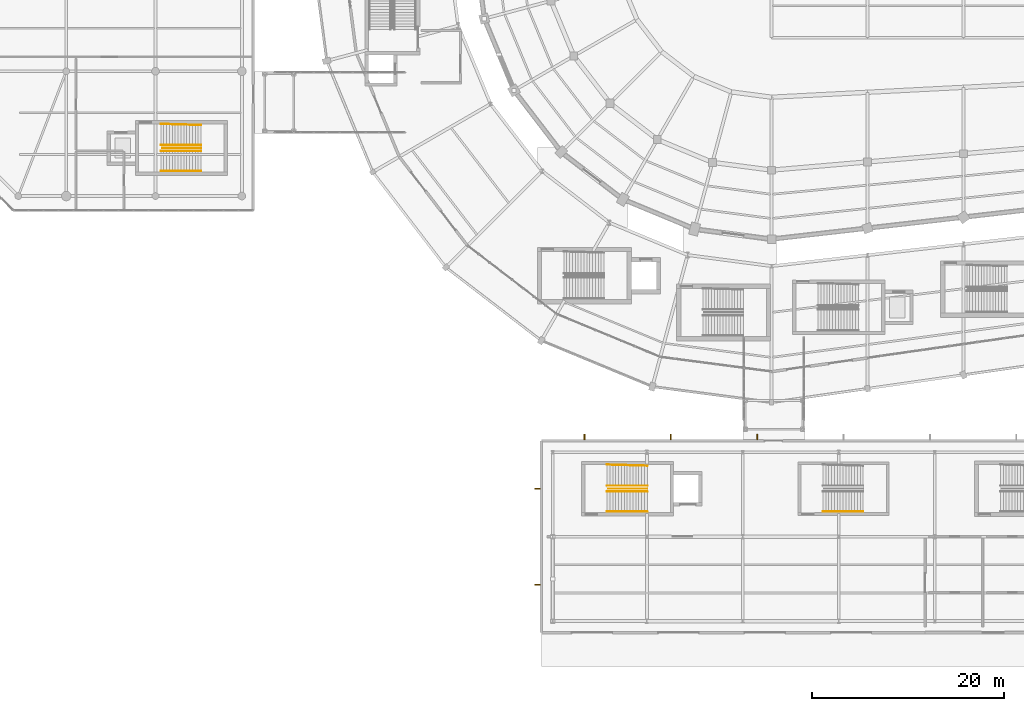
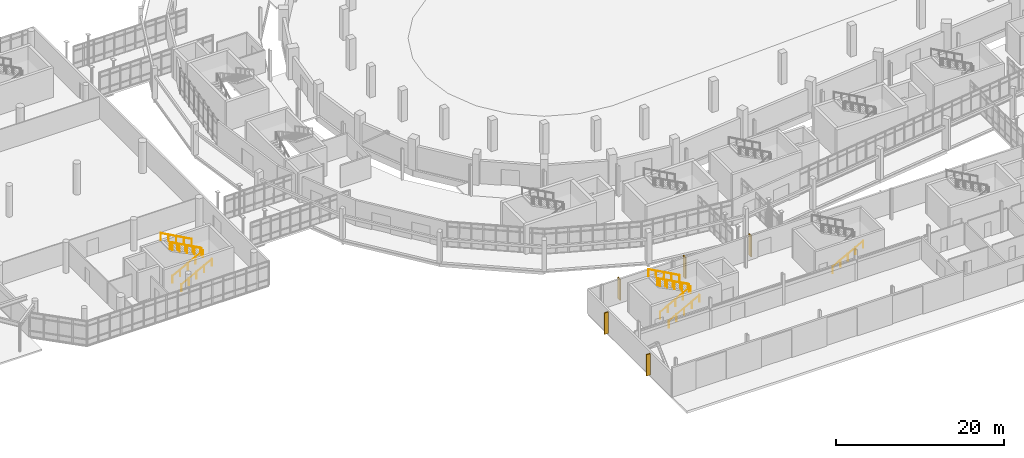
# One storey, part 116 of 122: 11 railings, 5 shading devices.
"""IFC4 building model written with IfcOpenShell, lengths in metres."""

from ifc_helpers import new_model, si_unit, direction, frame, origin, origin_2d, place, context, subcontext, project, spatial, rectangle, circle, extrude, material, layer, layer_set, type_object, element, save


model = new_model("IFC4")

# Units and contexts
model_context = context("Model", 3, precision=1e-05, world=origin(), true_north=direction((0.0, 1.0)))
body_context = subcontext(model_context, "Body", "Model", "MODEL_VIEW")
ifc_project = project(units=[si_unit("LENGTHUNIT", "METRE"), si_unit("AREAUNIT", "SQUARE_METRE"), si_unit("VOLUMEUNIT", "CUBIC_METRE"), si_unit("PLANEANGLEUNIT", "RADIAN"), si_unit("MASSUNIT", "GRAM", prefix="KILO")], contexts=[model_context])

# Site, building, storey
site_placement = place(None, origin())
site = spatial("IfcSite", under=ifc_project, at=site_placement, CompositionType="ELEMENT")
building_placement = place(site_placement, origin())
building = spatial("IfcBuilding", under=site, at=building_placement, Name="Sohan Crest Arena", CompositionType="ELEMENT")
storey_placement = place(building_placement, origin())
storey = spatial("IfcBuildingStorey", under=building, at=storey_placement, Name="L00", CompositionType="ELEMENT", Elevation=0.0)

# Railings
ifc_material_1 = material(Name="Powder-coated wrought steel balustrade", Category="steel")
railing_type_1 = type_object("IfcRailingType", Name="ARC-GRD-01", PredefinedType="GUARDRAIL", material=ifc_material_1)
for number, where, name in (
    (1, (38.530029296875, 56.5, 2.25), "Stair well slot guard GRD-071"),
    (2, (85.030029296875, 21.0, 2.25), "Stair well slot guard GRD-088"),
):
    element("IfcRailing", number, at=place(storey_placement, frame(where)), inside=storey, type_object=railing_type_1, Name=name, PredefinedType="GUARDRAIL", context=body_context, shape_type="SweptSolid", body=[
        extrude(circle(Radius=0.02392578125, at=origin_2d()), frame((0.0, 0.0, 1.076171875), z_axis=(-0.87313487534, 0.0, 0.487478706678), x_axis=(0.0, -1.0, 0.0)), (0.0, 0.0, 1.0), 4.615478515625),
        extrude(circle(Radius=0.02099609375, at=origin_2d()), origin(), (0.0, 0.0, 1.0), 1.052001953125),
        extrude(circle(Radius=0.02099609375, at=origin_2d()), frame((-1.007568359375, 0.0, 0.5625)), (0.0, 0.0, 1.0), 1.052001953125),
        extrude(circle(Radius=0.02099609375, at=origin_2d()), frame((-2.01513671875, 0.0, 1.125)), (0.0, 0.0, 1.0), 1.052001953125),
        extrude(circle(Radius=0.02099609375, at=origin_2d()), frame((-3.0224609375, 0.0, 1.6875)), (0.0, 0.0, 1.0), 1.052001953125),
        extrude(circle(Radius=0.02099609375, at=origin_2d()), frame((-4.030029296875, 0.0, 2.25)), (0.0, 0.0, 1.0), 1.052001953125),
    ])
ifc_material_2 = material(Name="Brushed stainless steel stair handrail", Category="steel")
railing_type_2 = type_object("IfcRailingType", Name="ARC-HR-01", PredefinedType="HANDRAIL", material=ifc_material_2)
for number, where, name in (
    (3, (103.35009765625, 18.610107421875, 0.0), "Stair pitch handrail HR-221"),
    (4, (34.35009765625, 54.110107421875, 0.0), "Stair pitch handrail HR-233"),
    (5, (34.35009765625, 56.18994140625, 0.0), "Stair pitch handrail HR-234"),
):
    element("IfcRailing", number, at=place(storey_placement, frame(where)), inside=storey, type_object=railing_type_2, Name=name, PredefinedType="HANDRAIL", context=body_context, shape_type="SweptSolid", body=[
        extrude(circle(Radius=0.02392578125, at=origin_2d()), frame((0.0, 0.0, 0.97607421875), z_axis=(0.881477684796, 0.0, 0.472225678258), x_axis=(0.0, 1.0, 0.0)), (0.0, 0.0, 1.0), 4.7646484375),
        extrude(circle(Radius=0.02099609375, at=origin_2d()), origin(), (0.0, 0.0, 1.0), 0.951904296875),
        extrude(circle(Radius=0.02099609375, at=origin_2d()), frame((1.050048828125, 0.0, 0.5625)), (0.0, 0.0, 1.0), 0.951904296875),
        extrude(circle(Radius=0.02099609375, at=origin_2d()), frame((2.10009765625, 0.0, 1.125)), (0.0, 0.0, 1.0), 0.951904296875),
        extrude(circle(Radius=0.02099609375, at=origin_2d()), frame((3.14990234375, 0.0, 1.6875)), (0.0, 0.0, 1.0), 0.951904296875),
        extrude(circle(Radius=0.02099609375, at=origin_2d()), frame((4.199951171875, 0.0, 2.25)), (0.0, 0.0, 1.0), 0.951904296875),
    ])
railing_1_placement = place(storey_placement, frame((38.550048828125, 56.81005859375, 2.25)))
element("IfcRailing", 6, at=railing_1_placement, inside=storey, type_object=railing_type_2, Name="Stair pitch handrail HR-235", PredefinedType="HANDRAIL", context=body_context, shape_type="SweptSolid", body=[
    extrude(circle(Radius=0.02392578125, at=origin_2d()), frame((0.0, 0.0, 0.97607421875), z_axis=(-0.881477684796, 0.0, 0.472225678258), x_axis=(0.0, -1.0, 0.0)), (0.0, 0.0, 1.0), 4.7646484375),
    extrude(circle(Radius=0.02099609375, at=origin_2d()), origin(), (0.0, 0.0, 1.0), 0.951904296875),
    extrude(circle(Radius=0.02099609375, at=origin_2d()), frame((-1.050048828125, 0.0, 0.5625)), (0.0, 0.0, 1.0), 0.951904296875),
    extrude(circle(Radius=0.02099609375, at=origin_2d()), frame((-2.10009765625, 0.0, 1.125)), (0.0, 0.0, 1.0), 0.951904296875),
    extrude(circle(Radius=0.02099609375, at=origin_2d()), frame((-3.14990234375, 0.0, 1.6875)), (0.0, 0.0, 1.0), 0.951904296875),
    extrude(circle(Radius=0.02099609375, at=origin_2d()), frame((-4.199951171875, 0.0, 2.25)), (0.0, 0.0, 1.0), 0.951904296875),
])
railing_2_placement = place(storey_placement, frame((38.550048828125, 58.889892578125, 2.25)))
element("IfcRailing", 7, at=railing_2_placement, inside=storey, type_object=railing_type_2, Name="Stair pitch handrail HR-236", PredefinedType="HANDRAIL", context=body_context, shape_type="SweptSolid", body=[
    extrude(circle(Radius=0.02392578125, at=origin_2d()), frame((0.0, 0.0, 0.97607421875), z_axis=(-0.881197710057, 0.025201957411, 0.472075690047), x_axis=(-0.028587973606, -0.999591280357, 0.0)), (0.0, 0.0, 1.0), 4.76611328125),
    extrude(circle(Radius=0.02099609375, at=origin_2d()), origin(), (0.0, 0.0, 1.0), 0.951904296875),
    extrude(circle(Radius=0.02099609375, at=origin_2d()), frame((-1.050048828125, 0.030029296875, 0.5625)), (0.0, 0.0, 1.0), 0.951904296875),
    extrude(circle(Radius=0.02099609375, at=origin_2d()), frame((-2.10009765625, 0.06005859375, 1.125)), (0.0, 0.0, 1.0), 0.951904296875),
    extrude(circle(Radius=0.02099609375, at=origin_2d()), frame((-3.14990234375, 0.090087890625, 1.6875)), (0.0, 0.0, 1.0), 0.951904296875),
    extrude(circle(Radius=0.02099609375, at=origin_2d()), frame((-4.199951171875, 0.1201171875, 2.25)), (0.0, 0.0, 1.0), 0.951904296875),
])
for number, where, name in (
    (8, (80.85009765625, 18.610107421875, 0.0), "Stair pitch handrail HR-285"),
    (9, (80.85009765625, 20.68994140625, 0.0), "Stair pitch handrail HR-286"),
):
    element("IfcRailing", number, at=place(storey_placement, frame(where)), inside=storey, type_object=railing_type_2, Name=name, PredefinedType="HANDRAIL", context=body_context, shape_type="SweptSolid", body=[
        extrude(circle(Radius=0.02392578125, at=origin_2d()), frame((0.0, 0.0, 0.97607421875), z_axis=(0.881477684796, 0.0, 0.472225678258), x_axis=(0.0, 1.0, 0.0)), (0.0, 0.0, 1.0), 4.7646484375),
        extrude(circle(Radius=0.02099609375, at=origin_2d()), origin(), (0.0, 0.0, 1.0), 0.951904296875),
        extrude(circle(Radius=0.02099609375, at=origin_2d()), frame((1.050048828125, 0.0, 0.5625)), (0.0, 0.0, 1.0), 0.951904296875),
        extrude(circle(Radius=0.02099609375, at=origin_2d()), frame((2.10009765625, 0.0, 1.125)), (0.0, 0.0, 1.0), 0.951904296875),
        extrude(circle(Radius=0.02099609375, at=origin_2d()), frame((3.14990234375, 0.0, 1.6875)), (0.0, 0.0, 1.0), 0.951904296875),
        extrude(circle(Radius=0.02099609375, at=origin_2d()), frame((4.199951171875, 0.0, 2.25)), (0.0, 0.0, 1.0), 0.951904296875),
    ])
railing_3_placement = place(storey_placement, frame((85.050048828125, 21.31005859375, 2.25)))
element("IfcRailing", 10, at=railing_3_placement, inside=storey, type_object=railing_type_2, Name="Stair pitch handrail HR-287", PredefinedType="HANDRAIL", context=body_context, shape_type="SweptSolid", body=[
    extrude(circle(Radius=0.02392578125, at=origin_2d()), frame((0.0, 0.0, 0.97607421875), z_axis=(-0.881477684796, 0.0, 0.472225678258), x_axis=(0.0, -1.0, 0.0)), (0.0, 0.0, 1.0), 4.7646484375),
    extrude(circle(Radius=0.02099609375, at=origin_2d()), origin(), (0.0, 0.0, 1.0), 0.951904296875),
    extrude(circle(Radius=0.02099609375, at=origin_2d()), frame((-1.050048828125, 0.0, 0.5625)), (0.0, 0.0, 1.0), 0.951904296875),
    extrude(circle(Radius=0.02099609375, at=origin_2d()), frame((-2.10009765625, 0.0, 1.125)), (0.0, 0.0, 1.0), 0.951904296875),
    extrude(circle(Radius=0.02099609375, at=origin_2d()), frame((-3.14990234375, 0.0, 1.6875)), (0.0, 0.0, 1.0), 0.951904296875),
    extrude(circle(Radius=0.02099609375, at=origin_2d()), frame((-4.199951171875, 0.0, 2.25)), (0.0, 0.0, 1.0), 0.951904296875),
])
railing_4_placement = place(storey_placement, frame((85.050048828125, 23.389892578125, 2.25)))
element("IfcRailing", 11, at=railing_4_placement, inside=storey, type_object=railing_type_2, Name="Stair pitch handrail HR-288", PredefinedType="HANDRAIL", context=body_context, shape_type="SweptSolid", body=[
    extrude(circle(Radius=0.02392578125, at=origin_2d()), frame((0.0, 0.0, 0.97607421875), z_axis=(-0.881197710057, 0.025201957411, 0.472075690047), x_axis=(-0.028587973606, -0.999591280357, 0.0)), (0.0, 0.0, 1.0), 4.76611328125),
    extrude(circle(Radius=0.02099609375, at=origin_2d()), origin(), (0.0, 0.0, 1.0), 0.951904296875),
    extrude(circle(Radius=0.02099609375, at=origin_2d()), frame((-1.050048828125, 0.030029296875, 0.5625)), (0.0, 0.0, 1.0), 0.951904296875),
    extrude(circle(Radius=0.02099609375, at=origin_2d()), frame((-2.10009765625, 0.06005859375, 1.125)), (0.0, 0.0, 1.0), 0.951904296875),
    extrude(circle(Radius=0.02099609375, at=origin_2d()), frame((-3.14990234375, 0.090087890625, 1.6875)), (0.0, 0.0, 1.0), 0.951904296875),
    extrude(circle(Radius=0.02099609375, at=origin_2d()), frame((-4.199951171875, 0.1201171875, 2.25)), (0.0, 0.0, 1.0), 0.951904296875),
])

# Shading devices
ifc_material_3 = material(Name="Glazed terracotta ceramic solar fin", Category="masonry")
ifc_layer = layer(ifc_material_3, 0.070068359375, Name="Glazed terracotta ceramic solar fin")
ifc_layer_set = layer_set([ifc_layer], Name="Glazed terracotta ceramic solar fin")
shading_device_type = type_object("IfcShadingDeviceType", Name="ARC-SHD-FIN1", PredefinedType="USERDEFINED", material=ifc_layer_set)
for number, where, z_axis, x_axis, name in (
    (12, (96.5, 26.389892578125, 0.199951171875), (0.0, 0.0, 1.0), (-1.0, 0.0, 0.0), "Catalan terracotta facade fin FIN-046"),
    (13, (87.5, 26.389892578125, 0.199951171875), (0.0, 0.0, 1.0), (-1.0, 0.0, 0.0), "Catalan terracotta facade fin FIN-047"),
    (14, (78.5, 26.389892578125, 0.199951171875), (0.0, 0.0, 1.0), (-1.0, 0.0, 0.0), "Catalan terracotta facade fin FIN-048"),
    (15, (73.610107421875, 21.0, 0.199951171875), (0.0, 0.0, 1.0), (0.0, -1.0, 0.0), "Catalan terracotta facade fin FIN-049"),
    (16, (73.610107421875, 11.0, 0.199951171875), (0.0, 0.0, 1.0), (0.0, -1.0, 0.0), "Catalan terracotta facade fin FIN-050"),
):
    element("IfcShadingDevice", number, at=place(storey_placement, frame(where, z_axis=z_axis, x_axis=x_axis)), inside=storey, type_object=shading_device_type, Name=name, ObjectType="FIN", PredefinedType="USERDEFINED", context=body_context, shape_type="SweptSolid", body=[
        extrude(rectangle(XDim=0.139892578125, YDim=0.550048828125, at=origin_2d()), origin(), (0.0, 0.0, 1.0), 3.10009765625),
    ])

save(model, "model.ifc")
